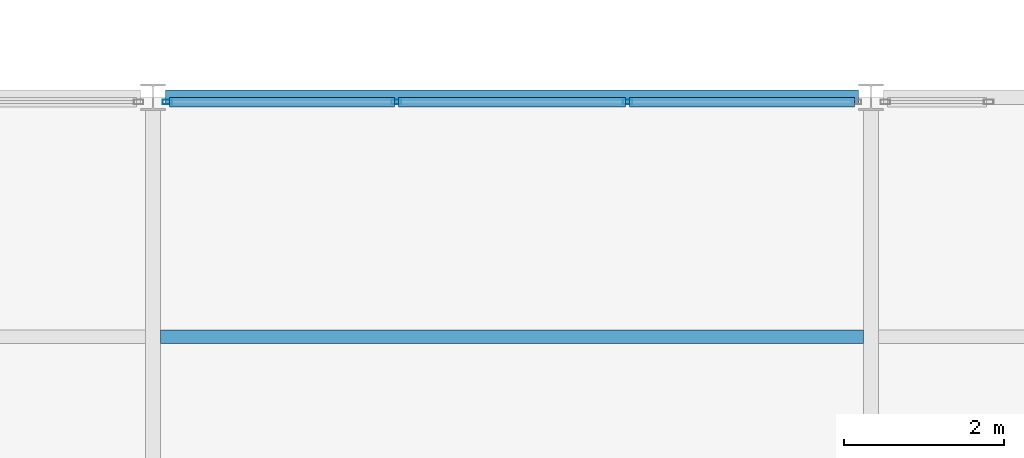
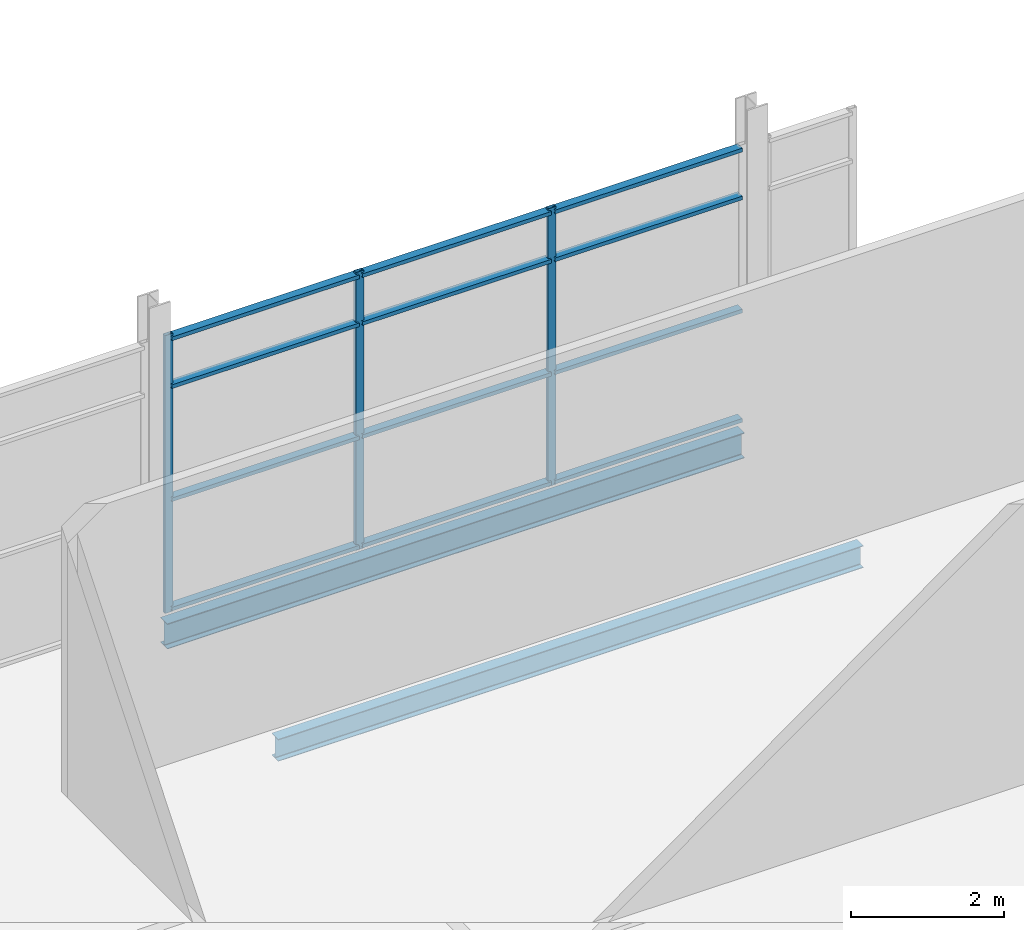
# One storey, part 22 of 112: 15 members, 2 beams, 1 element without a shape of its own.
"""IFC4 building model written with IfcOpenShell, lengths in metres."""

import ifcopenshell
import ifcopenshell.guid

model = None  # the IFC model being written
_history = None  # IfcOwnerHistory: only IFC2X3 demands one
_inside = {}  # id of a spatial element -> (the spatial element, [elements in it])
_under = {}  # id of a project, library or spatial element -> (it, [spatial elements below it])
_declared = {}  # id of a project -> (the project, [libraries it declares])
_typed = {}  # id of a type object -> (the type object, [elements of that type])
_made_of = {}  # id of a material, layer set ... -> (it, [elements and type objects made of it])


def new_model(schema):
    """Start an empty IFC model of exactly this schema.

    Asked for "IFC4X3", IfcOpenShell would pick the latest addendum, in which some entities
    have other attributes; the version numbers below select the first issue.
    IFC2X3 requires an IfcOwnerHistory on every rooted entity: one is made here for all.
    """
    global model, _history
    if schema == "IFC4X3":
        model = ifcopenshell.file(schema_version=(4, 3, 0, 0))
    else:
        model = ifcopenshell.file(schema=schema)
    _inside.clear()
    _under.clear()
    _declared.clear()
    _typed.clear()
    _made_of.clear()
    _history = None
    if model.schema == "IFC2X3":
        org = make("IfcOrganization", Name="unknown")
        user = make(
            "IfcPersonAndOrganization",
            ThePerson=make("IfcPerson", FamilyName="unknown"),
            TheOrganization=org,
        )
        app = make(
            "IfcApplication",
            ApplicationDeveloper=org,
            Version="unknown",
            ApplicationFullName="unknown",
            ApplicationIdentifier="unknown",
        )
        _history = make(
            "IfcOwnerHistory",
            OwningUser=user,
            OwningApplication=app,
            ChangeAction="ADDED",
            CreationDate=0,
        )
    return model


def make(cls, **values):
    """One entity of the class cls with the attributes given. An attribute that is None is left unset."""
    return model.create_entity(
        cls, **{name: value for name, value in values.items() if value is not None}
    )


def rooted(cls, **values):
    """An entity with a GlobalId (a new one), such as an element, a storey or a relation."""
    return make(cls, GlobalId=ifcopenshell.guid.new(), OwnerHistory=_history, **values)


def si_unit(unit_type, name, prefix=None):
    """IfcSIUnit, for example si_unit("LENGTHUNIT", "METRE", prefix="MILLI")."""
    return make("IfcSIUnit", UnitType=unit_type, Prefix=prefix, Name=name)


def assignment(units):
    """IfcUnitAssignment: the units of a project."""
    return None if units is None else make("IfcUnitAssignment", Units=units)


def point(xyz):
    """IfcCartesianPoint."""
    return None if xyz is None else make("IfcCartesianPoint", Coordinates=xyz)


def direction(xyz):
    """IfcDirection."""
    return None if xyz is None else make("IfcDirection", DirectionRatios=xyz)


def frame(location, z_axis=None, x_axis=None):
    """IfcAxis2Placement3D, a coordinate frame: its origin and axes. An axis left out is left unset."""
    return make(
        "IfcAxis2Placement3D",
        Location=point(location),
        Axis=direction(z_axis),
        RefDirection=direction(x_axis),
    )


def frame_2d(location, x_axis=None):
    """IfcAxis2Placement2D, a coordinate frame in the plane: its origin and x axis."""
    return make(
        "IfcAxis2Placement2D", Location=point(location), RefDirection=direction(x_axis)
    )


def origin():
    """The frame at (0, 0, 0) with its axes left unset."""
    return frame((0.0, 0.0, 0.0))


def origin_2d():
    """The frame at (0, 0) in the plane with its x axis left unset."""
    return frame_2d((0.0, 0.0))


def place(relative_to, where):
    """IfcLocalPlacement: puts the frame where relative to a parent placement (None: the world)."""
    return make(
        "IfcLocalPlacement", PlacementRelTo=relative_to, RelativePlacement=where
    )


def context(
    kind, dimensions, precision=None, world=None, true_north=None, identifier=None
):
    """IfcGeometricRepresentationContext, for example the 3D "Model" context."""
    return make(
        "IfcGeometricRepresentationContext",
        ContextIdentifier=identifier,
        ContextType=kind,
        CoordinateSpaceDimension=dimensions,
        Precision=precision,
        WorldCoordinateSystem=world,
        TrueNorth=true_north,
    )


def subcontext(parent, identifier, kind, view, scale=None):
    """IfcGeometricRepresentationSubContext, for example "Body" below "Model"."""
    return make(
        "IfcGeometricRepresentationSubContext",
        ContextIdentifier=identifier,
        ContextType=kind,
        ParentContext=parent,
        TargetScale=scale,
        TargetView=view,
    )


def project(units=None, contexts=None):
    """IfcProject with its units and contexts."""
    return rooted(
        "IfcProject",
        Name="project",
        RepresentationContexts=contexts,
        UnitsInContext=assignment(units),
    )


def spatial(cls, under=None, at=None, **own):
    """A site, building, storey or space (cls), placed at a placement, below another one or the project."""
    s = rooted(cls, ObjectPlacement=at, **own)
    if under is not None:
        _under.setdefault(under.id(), (under, []))[1].append(s)
    return s


def profile(cls, at=None, kind="AREA", **sizes):
    """A parametric profile (cls). Its sizes go by their IFC names, for example OverallWidth=200.0."""
    return make(cls, ProfileType=kind, Position=at, **sizes)


def hollow_rectangle(**sizes):
    """IfcRectangleHollowProfileDef."""
    return profile("IfcRectangleHollowProfileDef", **sizes)


def i_section(**sizes):
    """IfcIShapeProfileDef."""
    return profile("IfcIShapeProfileDef", **sizes)


def extrude(swept, where, along, depth):
    """IfcExtrudedAreaSolid: the profile swept, set in the frame where, extruded along a direction by depth."""
    return make(
        "IfcExtrudedAreaSolid",
        SweptArea=swept,
        Position=where,
        ExtrudedDirection=direction(along),
        Depth=depth,
    )


def shape(context_of_items, identifier, shape_type, items):
    """IfcShapeRepresentation: the items that make up one representation, for example the "Body"."""
    return make(
        "IfcShapeRepresentation",
        ContextOfItems=context_of_items,
        RepresentationIdentifier=identifier,
        RepresentationType=shape_type,
        Items=items,
    )


def material(Name=None, Category=None):
    """IfcMaterial."""
    return make("IfcMaterial", Name=Name, Category=Category)


def layer(
    of_material, thickness, ventilated=None, Name=None, Category=None, Priority=None
):
    """IfcMaterialLayer: one layer of a wall or slab, of a material (None: an air gap)."""
    return make(
        "IfcMaterialLayer",
        Material=of_material,
        LayerThickness=thickness,
        IsVentilated=ventilated,
        Name=Name,
        Category=Category,
        Priority=Priority,
    )


def layer_set(layers, Name=None):
    """IfcMaterialLayerSet."""
    return make("IfcMaterialLayerSet", MaterialLayers=layers, LayerSetName=Name)


def material_profile(
    of_material, cross_section, Name=None, Category=None, Priority=None
):
    """IfcMaterialProfile: a cross section and its material."""
    return make(
        "IfcMaterialProfile",
        Name=Name,
        Material=of_material,
        Profile=cross_section,
        Priority=Priority,
        Category=Category,
    )


def profile_set(profiles, Name=None, composite=None):
    """IfcMaterialProfileSet."""
    return make(
        "IfcMaterialProfileSet",
        Name=Name,
        MaterialProfiles=profiles,
        CompositeProfile=composite,
    )


def made_of(thing, what):
    """Note that an element or type object is made of a material, layer set ...; save() writes the relation."""
    if what is not None:
        _made_of.setdefault(what.id(), (what, []))[1].append(thing)
    return thing


def type_object(cls, material=None, **own):
    """A type object (cls), such as IfcWallType, which elements share."""
    return made_of(rooted(cls, **own), material)


def element(
    cls,
    number,
    at=None,
    inside=None,
    cuts=None,
    type_object=None,
    material=None,
    context=None,
    identifier="Body",
    shape_type=None,
    held_by="IfcProductDefinitionShape",
    body=None,
    shapes=None,
    **own,
):
    """One element of the class cls, such as IfcWall. Its Tag is "e" and its number.

    at: its placement. inside: the storey or other place that contains it. cuts: it is an
    opening in that element (IfcRelVoidsElement). A single representation is given by context,
    identifier, shape_type and body (its items); several are given by shapes. held_by: the class
    of the entity that holds the representations. save() writes the other relations.
    """
    e = rooted(cls, Tag="e%d" % number, ObjectPlacement=at, **own)
    if body is not None:
        shapes = [shape(context, identifier, shape_type, body)]
    if shapes is not None:
        e.Representation = make(held_by, Representations=shapes)
    if inside is not None:
        _inside.setdefault(inside.id(), (inside, []))[1].append(e)
    if cuts is not None:
        rooted(
            "IfcRelVoidsElement", RelatingBuildingElement=cuts, RelatedOpeningElement=e
        )
    if type_object is not None:
        _typed.setdefault(type_object.id(), (type_object, []))[1].append(e)
    return made_of(e, material)


def aggregate(whole, parts):
    """IfcRelAggregates: a whole, such as a stair, and the parts it consists of."""
    return rooted("IfcRelAggregates", RelatingObject=whole, RelatedObjects=parts)


def save(model, path):
    """Write the relations noted so far, then the file.

    IfcRelAggregates (storeys below a building ...), IfcRelContainedInSpatialStructure (elements
    in a storey), IfcRelDefinesByType, IfcRelAssociatesMaterial and IfcRelDeclares: one each for
    every whole, place, type object, material and project.
    """
    for whole, parts in _under.values():
        aggregate(whole, parts)
    for where, things in _inside.values():
        rooted(
            "IfcRelContainedInSpatialStructure",
            RelatedElements=things,
            RelatingStructure=where,
        )
    for kind, things in _typed.values():
        rooted("IfcRelDefinesByType", RelatedObjects=things, RelatingType=kind)
    for what, things in _made_of.values():
        rooted("IfcRelAssociatesMaterial", RelatedObjects=things, RelatingMaterial=what)
    for by, libraries in _declared.values():
        rooted("IfcRelDeclares", RelatingContext=by, RelatedDefinitions=libraries)
    model.write(path)


model = new_model("IFC4")

# Units and contexts
model_context = context("Model", 3, precision=1e-05, world=origin(), true_north=direction((0.0, 1.0)))
body_context = subcontext(model_context, "Body", "Model", "MODEL_VIEW")
ifc_project = project(units=[si_unit("LENGTHUNIT", "METRE"), si_unit("AREAUNIT", "SQUARE_METRE"), si_unit("VOLUMEUNIT", "CUBIC_METRE"), si_unit("PLANEANGLEUNIT", "RADIAN"), si_unit("MASSUNIT", "GRAM", prefix="KILO")], contexts=[model_context])

# Site, building, storey
site_placement = place(None, origin())
site = spatial("IfcSite", under=ifc_project, at=site_placement, CompositionType="ELEMENT")
building_placement = place(site_placement, origin())
building = spatial("IfcBuilding", under=site, at=building_placement, Name="Shorebreak Coast Museum", CompositionType="ELEMENT")
storey_placement = place(building_placement, frame((0.0, 0.0, 6.0)))
storey = spatial("IfcBuildingStorey", under=building, at=storey_placement, Name="L01", CompositionType="ELEMENT", Elevation=6.0)

# Beams
ifc_material_1 = material(Name="Steel Grade 300", Category="steel")
ifc_material_profile_1 = material_profile(ifc_material_1, i_section(OverallWidth=0.177978515625, OverallDepth=0.402587890625, WebThickness=0.007568359375, FlangeThickness=0.010986328125, FilletRadius=0.011474609375, at=origin_2d()), Name="410UB53.7")
ifc_profile_set_1 = profile_set([ifc_material_profile_1], Name="Steel Grade 300")
beam_type_1 = type_object("IfcBeamType", Name="Floor girder east-west 410UB53.7", PredefinedType="BEAM", material=ifc_profile_set_1)
beam_1_placement = place(storey_placement, frame((72.155517578125, 63.0, -0.376220703125), z_axis=(1.0, 0.0, 0.0), x_axis=(0.0, 1.0, 0.0)))
element("IfcBeam", 1, at=beam_1_placement, inside=storey, type_object=beam_type_1, Name="Floor girder east-west L01 9H", PredefinedType="BEAM", context=body_context, shape_type="SweptSolid", body=[
    extrude(i_section(OverallWidth=0.177978515625, OverallDepth=0.402587890625, WebThickness=0.007568359375, FlangeThickness=0.010986328125, FilletRadius=0.011474609375, at=origin_2d()), origin(), (0.0, 0.0, 1.0), 8.68896484375),
])
ifc_material_2 = material(Name="Steel Grade 300", Category="steel")
ifc_material_profile_2 = material_profile(ifc_material_2, i_section(OverallWidth=0.1708984375, OverallDepth=0.35205078125, WebThickness=0.0068359375, FlangeThickness=0.009765625, FilletRadius=0.011474609375, at=origin_2d()), Name="360UB44.7")
ifc_profile_set_2 = profile_set([ifc_material_profile_2], Name="Steel Grade 300")
beam_type_2 = type_object("IfcBeamType", Name="Floor joist 360UB44.7", PredefinedType="JOIST", material=ifc_profile_set_2)
beam_2_placement = place(storey_placement, frame((72.095458984375, 60.0, -0.35107421875), z_axis=(1.0, 0.0, 0.0), x_axis=(0.0, 1.0, 0.0)))
element("IfcBeam", 2, at=beam_2_placement, inside=storey, type_object=beam_type_2, Name="Floor joist L01 bay 9G at 6000 mm", PredefinedType="JOIST", context=body_context, shape_type="SweptSolid", body=[
    extrude(i_section(OverallWidth=0.1708984375, OverallDepth=0.35205078125, WebThickness=0.0068359375, FlangeThickness=0.009765625, FilletRadius=0.011474609375, at=origin_2d()), origin(), (0.0, 0.0, 1.0), 8.80908203125),
])

# Curtain wall, members
ifc_material_3 = material(Name="Aluminium", Category="aluminium")
ifc_layer = layer(ifc_material_3, 0.1201171875)
ifc_layer_set = layer_set([ifc_layer], Name="Aluminium")
curtain_wall_type = type_object("IfcCurtainWallType", Name="Atrium fire screen", PredefinedType="NOTDEFINED", material=ifc_layer_set)
curtain_wall_placement = place(storey_placement, origin())
curtain_wall = element("IfcCurtainWall", 3, at=curtain_wall_placement, inside=storey, type_object=curtain_wall_type, Name="Atrium screen L01 S 2", PredefinedType="NOTDEFINED")
ifc_material_4 = material(Name="Aluminium", Category="aluminium")
ifc_material_profile_3 = material_profile(ifc_material_4, hollow_rectangle(XDim=0.06005859375, YDim=0.1201171875, WallThickness=0.00341796875, at=origin_2d()), Name="AL 120x60 RHS")
ifc_profile_set_3 = profile_set([ifc_material_profile_3], Name="Aluminium")
member_type_1 = type_object("IfcMemberType", Name="Screen mullion 50 x 120", PredefinedType="MULLION", material=ifc_profile_set_3)
member_1_placement = place(storey_placement, frame((72.180419921875, 62.93994140625, 0.0), z_axis=(0.0, 0.0, 1.0), x_axis=(0.0, 1.0, 0.0)))
member_1 = element("IfcMember", 4, at=member_1_placement, type_object=member_type_1, Name="CW6 mullion 1", PredefinedType="MULLION", context=body_context, shape_type="SweptSolid", body=[
    extrude(hollow_rectangle(XDim=0.06005859375, YDim=0.1201171875, WallThickness=0.00341796875, at=origin_2d()), origin(), (0.0, 0.0, 1.0), 4.42236328125),
])
member_2_placement = place(storey_placement, frame((75.0517578125, 62.93994140625, 0.0), z_axis=(0.0, 0.0, 1.0), x_axis=(0.0, 1.0, 0.0)))
member_2 = element("IfcMember", 5, at=member_2_placement, type_object=member_type_1, Name="CW6 mullion 2", PredefinedType="MULLION", context=body_context, shape_type="SweptSolid", body=[
    extrude(hollow_rectangle(XDim=0.06005859375, YDim=0.1201171875, WallThickness=0.00341796875, at=origin_2d()), origin(), (0.0, 0.0, 1.0), 4.42236328125),
])
member_3_placement = place(storey_placement, frame((77.9482421875, 62.93994140625, 0.0), z_axis=(0.0, 0.0, 1.0), x_axis=(0.0, 1.0, 0.0)))
member_3 = element("IfcMember", 6, at=member_3_placement, type_object=member_type_1, Name="CW6 mullion 3", PredefinedType="MULLION", context=body_context, shape_type="SweptSolid", body=[
    extrude(hollow_rectangle(XDim=0.06005859375, YDim=0.1201171875, WallThickness=0.00341796875, at=origin_2d()), origin(), (0.0, 0.0, 1.0), 4.42236328125),
])
ifc_material_5 = material(Name="Aluminium", Category="aluminium")
ifc_material_profile_4 = material_profile(ifc_material_5, hollow_rectangle(XDim=0.1201171875, YDim=0.06005859375, WallThickness=0.00341796875, at=origin_2d()), Name="AL 60x120 RHS")
ifc_profile_set_4 = profile_set([ifc_material_profile_4], Name="Aluminium")
member_type_2 = type_object("IfcMemberType", Name="Screen transom 120 x 50", PredefinedType="USERDEFINED", material=ifc_profile_set_4)
member_4_placement = place(storey_placement, frame((72.20556640625, 62.93994140625, 0.06005859375), z_axis=(1.0, 0.0, 0.0), x_axis=(0.0, 1.0, 0.0)))
member_4 = element("IfcMember", 7, at=member_4_placement, type_object=member_type_2, Name="CW6 transom 1.1", ObjectType="TRANSOM", PredefinedType="USERDEFINED", context=body_context, shape_type="SweptSolid", body=[
    extrude(hollow_rectangle(XDim=0.1201171875, YDim=0.06005859375, WallThickness=0.00341796875, at=origin_2d()), origin(), (0.0, 0.0, 1.0), 2.8212890625),
])
member_5_placement = place(storey_placement, frame((72.20556640625, 62.93994140625, 1.800048828125), z_axis=(1.0, 0.0, 0.0), x_axis=(0.0, 1.0, 0.0)))
member_5 = element("IfcMember", 8, at=member_5_placement, type_object=member_type_2, Name="CW6 transom 1.2", ObjectType="TRANSOM", PredefinedType="USERDEFINED", context=body_context, shape_type="SweptSolid", body=[
    extrude(hollow_rectangle(XDim=0.1201171875, YDim=0.06005859375, WallThickness=0.00341796875, at=origin_2d()), origin(), (0.0, 0.0, 1.0), 2.8212890625),
])
member_6_placement = place(storey_placement, frame((72.20556640625, 62.93994140625, 3.60009765625), z_axis=(1.0, 0.0, 0.0), x_axis=(0.0, 1.0, 0.0)))
member_6 = element("IfcMember", 9, at=member_6_placement, type_object=member_type_2, Name="CW6 transom 1.3", ObjectType="TRANSOM", PredefinedType="USERDEFINED", context=body_context, shape_type="SweptSolid", body=[
    extrude(hollow_rectangle(XDim=0.1201171875, YDim=0.06005859375, WallThickness=0.00341796875, at=origin_2d()), origin(), (0.0, 0.0, 1.0), 2.8212890625),
])
member_7_placement = place(storey_placement, frame((72.20556640625, 62.93994140625, 4.3623046875), z_axis=(1.0, 0.0, 0.0), x_axis=(0.0, 1.0, 0.0)))
member_7 = element("IfcMember", 10, at=member_7_placement, type_object=member_type_2, Name="CW6 transom 1.4", ObjectType="TRANSOM", PredefinedType="USERDEFINED", context=body_context, shape_type="SweptSolid", body=[
    extrude(hollow_rectangle(XDim=0.1201171875, YDim=0.06005859375, WallThickness=0.00341796875, at=origin_2d()), origin(), (0.0, 0.0, 1.0), 2.8212890625),
])
member_8_placement = place(storey_placement, frame((75.076904296875, 62.93994140625, 0.06005859375), z_axis=(1.0, 0.0, 0.0), x_axis=(0.0, 1.0, 0.0)))
member_8 = element("IfcMember", 11, at=member_8_placement, type_object=member_type_2, Name="CW6 transom 2.1", ObjectType="TRANSOM", PredefinedType="USERDEFINED", context=body_context, shape_type="SweptSolid", body=[
    extrude(hollow_rectangle(XDim=0.1201171875, YDim=0.06005859375, WallThickness=0.00341796875, at=origin_2d()), origin(), (0.0, 0.0, 1.0), 2.84619140625),
])
member_9_placement = place(storey_placement, frame((75.076904296875, 62.93994140625, 1.800048828125), z_axis=(1.0, 0.0, 0.0), x_axis=(0.0, 1.0, 0.0)))
member_9 = element("IfcMember", 12, at=member_9_placement, type_object=member_type_2, Name="CW6 transom 2.2", ObjectType="TRANSOM", PredefinedType="USERDEFINED", context=body_context, shape_type="SweptSolid", body=[
    extrude(hollow_rectangle(XDim=0.1201171875, YDim=0.06005859375, WallThickness=0.00341796875, at=origin_2d()), origin(), (0.0, 0.0, 1.0), 2.84619140625),
])
member_10_placement = place(storey_placement, frame((75.076904296875, 62.93994140625, 3.60009765625), z_axis=(1.0, 0.0, 0.0), x_axis=(0.0, 1.0, 0.0)))
member_10 = element("IfcMember", 13, at=member_10_placement, type_object=member_type_2, Name="CW6 transom 2.3", ObjectType="TRANSOM", PredefinedType="USERDEFINED", context=body_context, shape_type="SweptSolid", body=[
    extrude(hollow_rectangle(XDim=0.1201171875, YDim=0.06005859375, WallThickness=0.00341796875, at=origin_2d()), origin(), (0.0, 0.0, 1.0), 2.84619140625),
])
member_11_placement = place(storey_placement, frame((75.076904296875, 62.93994140625, 4.3623046875), z_axis=(1.0, 0.0, 0.0), x_axis=(0.0, 1.0, 0.0)))
member_11 = element("IfcMember", 14, at=member_11_placement, type_object=member_type_2, Name="CW6 transom 2.4", ObjectType="TRANSOM", PredefinedType="USERDEFINED", context=body_context, shape_type="SweptSolid", body=[
    extrude(hollow_rectangle(XDim=0.1201171875, YDim=0.06005859375, WallThickness=0.00341796875, at=origin_2d()), origin(), (0.0, 0.0, 1.0), 2.84619140625),
])
member_12_placement = place(storey_placement, frame((77.97314453125, 62.93994140625, 0.06005859375), z_axis=(1.0, 0.0, 0.0), x_axis=(0.0, 1.0, 0.0)))
member_12 = element("IfcMember", 15, at=member_12_placement, type_object=member_type_2, Name="CW6 transom 3.1", ObjectType="TRANSOM", PredefinedType="USERDEFINED", context=body_context, shape_type="SweptSolid", body=[
    extrude(hollow_rectangle(XDim=0.1201171875, YDim=0.06005859375, WallThickness=0.00341796875, at=origin_2d()), origin(), (0.0, 0.0, 1.0), 2.8212890625),
])
member_13_placement = place(storey_placement, frame((77.97314453125, 62.93994140625, 1.800048828125), z_axis=(1.0, 0.0, 0.0), x_axis=(0.0, 1.0, 0.0)))
member_13 = element("IfcMember", 16, at=member_13_placement, type_object=member_type_2, Name="CW6 transom 3.2", ObjectType="TRANSOM", PredefinedType="USERDEFINED", context=body_context, shape_type="SweptSolid", body=[
    extrude(hollow_rectangle(XDim=0.1201171875, YDim=0.06005859375, WallThickness=0.00341796875, at=origin_2d()), origin(), (0.0, 0.0, 1.0), 2.8212890625),
])
member_14_placement = place(storey_placement, frame((77.97314453125, 62.93994140625, 3.60009765625), z_axis=(1.0, 0.0, 0.0), x_axis=(0.0, 1.0, 0.0)))
member_14 = element("IfcMember", 17, at=member_14_placement, type_object=member_type_2, Name="CW6 transom 3.3", ObjectType="TRANSOM", PredefinedType="USERDEFINED", context=body_context, shape_type="SweptSolid", body=[
    extrude(hollow_rectangle(XDim=0.1201171875, YDim=0.06005859375, WallThickness=0.00341796875, at=origin_2d()), origin(), (0.0, 0.0, 1.0), 2.8212890625),
])
member_15_placement = place(storey_placement, frame((77.97314453125, 62.93994140625, 4.3623046875), z_axis=(1.0, 0.0, 0.0), x_axis=(0.0, 1.0, 0.0)))
member_15 = element("IfcMember", 18, at=member_15_placement, type_object=member_type_2, Name="CW6 transom 3.4", ObjectType="TRANSOM", PredefinedType="USERDEFINED", context=body_context, shape_type="SweptSolid", body=[
    extrude(hollow_rectangle(XDim=0.1201171875, YDim=0.06005859375, WallThickness=0.00341796875, at=origin_2d()), origin(), (0.0, 0.0, 1.0), 2.8212890625),
])
aggregate(curtain_wall, [member_1, member_2, member_3, member_4, member_5, member_6, member_7, member_8, member_9, member_10, member_11, member_12, member_13, member_14, member_15])

save(model, "model.ifc")
